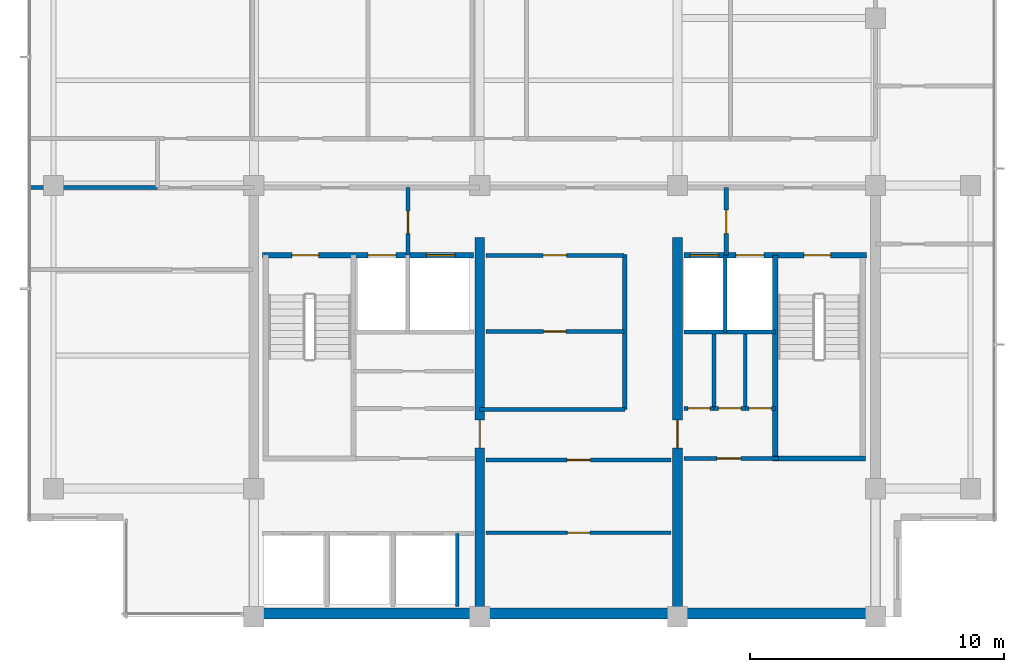
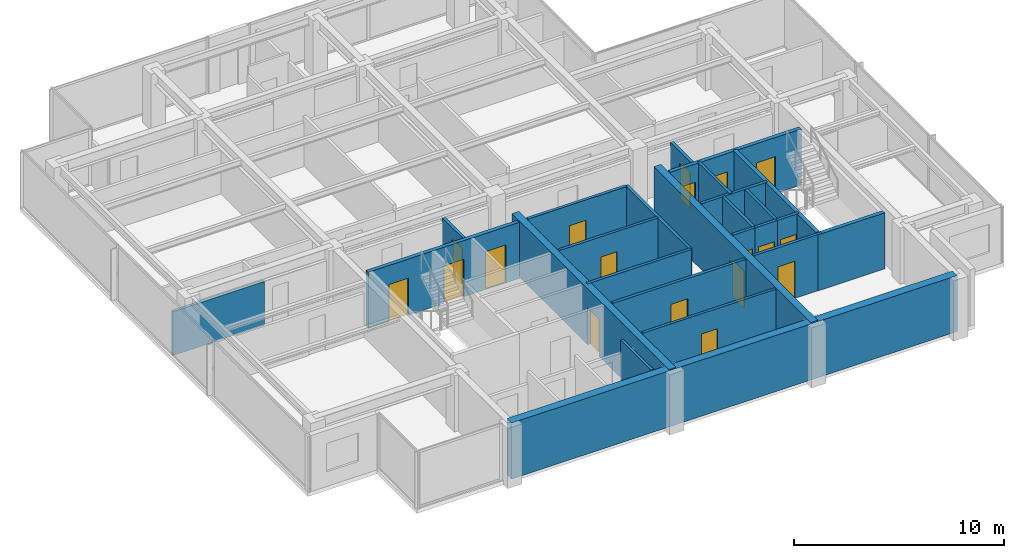
# One storey, part 6 of 11: 25 walls, 18 doors, 18 openings.
"""IFC4 building model written with IfcOpenShell, lengths in metres."""

from ifc_helpers import new_model, si_unit, direction, frame, frame_2d, origin, place, context, subcontext, project, spatial, rectangle, extrude, material, layer, layer_set, type_object, element, fill, save


model = new_model("IFC4")

# Units and contexts
model_context = context("Model", 3, precision=1e-05, world=origin(), true_north=direction((0.0, 1.0)))
body_context = subcontext(model_context, "Body", "Model", "MODEL_VIEW")
ifc_project = project(units=[si_unit("LENGTHUNIT", "METRE"), si_unit("AREAUNIT", "SQUARE_METRE"), si_unit("VOLUMEUNIT", "CUBIC_METRE"), si_unit("PLANEANGLEUNIT", "RADIAN"), si_unit("MASSUNIT", "GRAM", prefix="KILO")], contexts=[model_context])

# Site, building, storey
site_placement = place(None, origin())
site = spatial("IfcSite", under=ifc_project, at=site_placement, CompositionType="ELEMENT")
building_placement = place(site_placement, origin())
building = spatial("IfcBuilding", under=site, at=building_placement, Name="Qalmaran Belvedere Hotel", CompositionType="ELEMENT")
storey_placement = place(building_placement, frame((0.0, 0.0, 273.89990234375)))
storey = spatial("IfcBuildingStorey", under=building, at=storey_placement, Name="L71", CompositionType="ELEMENT", Elevation=273.89990234375)

# Wall, opening, door
ifc_material_1 = material(Name="Concrete C50/60", Category="concrete")
ifc_layer_1 = layer(ifc_material_1, 0.3798828125, Name="Concrete C50/60")
ifc_layer_set_1 = layer_set([ifc_layer_1], Name="Concrete C50/60")
wall_type_1 = type_object("IfcWallType", Name="WL-CORE-380-C50", PredefinedType="SHEAR", material=ifc_layer_set_1)
wall_1_placement = place(storey_placement, frame((29.199951171875, 3.5, 0.0), z_axis=(0.0, 0.0, 1.0), x_axis=(0.0, 1.0, 0.0)))
wall_1 = element("IfcWall", 1, at=wall_1_placement, inside=storey, type_object=wall_type_1, Name="L71 Core West Spine Shear Wall", PredefinedType="SHEAR", context=body_context, shape_type="SweptSolid", body=[
    extrude(rectangle(XDim=14.949951171875, YDim=0.3798828125, at=frame_2d((7.47509765625, 0.0))), origin(), (0.0, 0.0, 1.0), 3.260009765625),
])
opening_1_placement = place(wall_1_placement, frame((7.75, 0.0, 0.0), z_axis=(0.0, 0.0, 1.0), x_axis=(-1.0, 0.0, 0.0)))
opening_1 = element("IfcOpeningElement", 2, at=opening_1_placement, cuts=wall_1, Name="Opening FD90", PredefinedType="OPENING", context=body_context, shape_type="SweptSolid", body=[
    extrude(rectangle(XDim=1.10009765625, YDim=2.14990234375, at=frame_2d((0.550048828125, 1.074951171875))), frame((0.0, 0.199951171875, 0.0), z_axis=(0.0, -1.0, 0.0), x_axis=(1.0, 0.0, 0.0)), (0.0, 0.0, 1.0), 0.39990234375),
])
ifc_material_2 = material(Name="Steel S355JR", Category="steel")
door_type_1 = type_object("IfcDoorType", Name="DR-FD90-1100X2150", OperationType="NOTDEFINED", PredefinedType="DOOR", material=ifc_material_2)
door_1_placement = place(opening_1_placement, origin())
door_1 = element("IfcDoor", 3, at=door_1_placement, inside=storey, type_object=door_type_1, Name="L71 Core West Cross-Lobby Door", OperationType="SINGLE_SWING_RIGHT", OverallHeight=2.14990234375, OverallWidth=1.10009765625, PredefinedType="DOOR", context=body_context, shape_type="SweptSolid", body=[
    extrude(rectangle(XDim=1.10009765625, YDim=2.14990234375, at=frame_2d((0.550048828125, 1.074951171875))), frame((0.0, 0.02490234375, 0.0), z_axis=(0.0, -1.0, 0.0), x_axis=(1.0, 0.0, 0.0)), (0.0, 0.0, 1.0), 0.050048828125),
])
fill(opening_1, door_1)

wall_2_placement = place(storey_placement, frame((37.0, 3.5, 0.0), z_axis=(0.0, 0.0, 1.0), x_axis=(0.0, 1.0, 0.0)))
wall_2 = element("IfcWall", 4, at=wall_2_placement, inside=storey, type_object=wall_type_1, Name="L71 Core East Spine Shear Wall", PredefinedType="SHEAR", context=body_context, shape_type="SweptSolid", body=[
    extrude(rectangle(XDim=14.949951171875, YDim=0.3798828125, at=frame_2d((7.47509765625, 0.0))), origin(), (0.0, 0.0, 1.0), 3.260009765625),
])
opening_2_placement = place(wall_2_placement, frame((6.64990234375, 0.0, 0.0)))
opening_2 = element("IfcOpeningElement", 5, at=opening_2_placement, cuts=wall_2, Name="Opening FD90", PredefinedType="OPENING", context=body_context, shape_type="SweptSolid", body=[
    extrude(rectangle(XDim=1.10009765625, YDim=2.14990234375, at=frame_2d((0.550048828125, 1.074951171875))), frame((0.0, 0.199951171875, 0.0), z_axis=(0.0, -1.0, 0.0), x_axis=(1.0, 0.0, 0.0)), (0.0, 0.0, 1.0), 0.39990234375),
])
door_2_placement = place(opening_2_placement, origin())
door_2 = element("IfcDoor", 6, at=door_2_placement, inside=storey, type_object=door_type_1, Name="L71 Core East Cross-Lobby Door", OperationType="SINGLE_SWING_LEFT", OverallHeight=2.14990234375, OverallWidth=1.10009765625, PredefinedType="DOOR", context=body_context, shape_type="SweptSolid", body=[
    extrude(rectangle(XDim=1.10009765625, YDim=2.14990234375, at=frame_2d((0.550048828125, 1.074951171875))), frame((0.0, 0.02490234375, 0.0), z_axis=(0.0, -1.0, 0.0), x_axis=(1.0, 0.0, 0.0)), (0.0, 0.0, 1.0), 0.050048828125),
])
fill(opening_2, door_2)

# Walls
ifc_layer_2 = layer(ifc_material_1, 0.43994140625, Name="Concrete C50/60")
ifc_layer_set_2 = layer_set([ifc_layer_2], Name="Concrete C50/60")
wall_type_2 = type_object("IfcWallType", Name="WL-CORES-440-EXT", PredefinedType="SHEAR", material=ifc_layer_set_2)
wall_3_placement = place(storey_placement, frame((20.300048828125, 3.6298828125, 0.0), z_axis=(0.0, 0.0, 1.0), x_axis=(1.0, 0.0, 0.0)))
element("IfcWall", 7, at=wall_3_placement, inside=storey, type_object=wall_type_2, Name="L71 South Core Shear Wall", PredefinedType="SHEAR", context=body_context, shape_type="SweptSolid", body=[
    extrude(rectangle(XDim=24.5, YDim=0.43994140625, at=frame_2d((12.25, 0.0))), origin(), (0.0, 0.0, 1.0), 3.260009765625),
])
ifc_material_3 = material(Name="Gypsum Stud Partition")
ifc_layer_3 = layer(ifc_material_3, 0.14990234375, Name="Gypsum Stud Partition")
ifc_layer_set_3 = layer_set([ifc_layer_3], Name="Gypsum Stud Partition")
wall_type_3 = type_object("IfcWallType", Name="WL-INT-150-EI120", PredefinedType="PARTITIONING", material=ifc_layer_set_3)
wall_4_placement = place(storey_placement, frame((38.8798828125, 14.719970703125, 0.0), z_axis=(0.0, 0.0, 1.0), x_axis=(0.0, 1.0, 0.0)))
element("IfcWall", 8, at=wall_4_placement, inside=storey, type_object=wall_type_3, Name="L71 Partition WL-FF2M-L71", PredefinedType="PARTITIONING", context=body_context, shape_type="SweptSolid", body=[
    extrude(rectangle(XDim=3.0400390625, YDim=0.14990234375, at=frame_2d((1.52001953125, 0.0))), origin(), (0.0, 0.0, 1.0), 3.260009765625),
])
wall_5_placement = place(storey_placement, frame((28.320068359375, 3.89990234375, 0.0), z_axis=(0.0, 0.0, 1.0), x_axis=(0.0, 1.0, 0.0)))
element("IfcWall", 9, at=wall_5_placement, inside=storey, type_object=wall_type_3, Name="L71 Partition WL-POM3-L71", PredefinedType="PARTITIONING", context=body_context, shape_type="SweptSolid", body=[
    extrude(rectangle(XDim=2.880126953125, YDim=0.14990234375, at=frame_2d((1.43994140625, 0.0))), origin(), (0.0, 0.0, 1.0), 3.260009765625),
])
ifc_layer_4 = layer(ifc_material_3, 0.14990234375, Name="Gypsum Stud Partition")
ifc_layer_set_4 = layer_set([ifc_layer_4], Name="Gypsum Stud Partition")
wall_type_4 = type_object("IfcWallType", Name="WL-INT-150-EI60", PredefinedType="PARTITIONING", material=ifc_layer_set_4)
for number, where, z_axis, x_axis, name in (
    (10, (38.44140625, 11.719970703125, 0.0), (0.0, 0.0, 1.0), (0.0, 1.0, 0.0), "L71 Partition WL-L71-KEV1"),
    (11, (39.668701171875, 11.719970703125, 0.0), (0.0, 0.0, 1.0), (0.0, 1.0, 0.0), "L71 Partition WL-L71-KEV2"),
):
    element("IfcWall", number, at=place(storey_placement, frame(where, z_axis=z_axis, x_axis=x_axis)), inside=storey, type_object=wall_type_4, Name=name, PredefinedType="PARTITIONING", context=body_context, shape_type="SweptSolid", body=[
        extrude(rectangle(XDim=2.929931640625, YDim=0.14990234375, at=frame_2d((1.46484375, 0.0))), origin(), (0.0, 0.0, 1.0), 3.260009765625),
    ])

# Wall, opening, door
wall_6_placement = place(storey_placement, frame((29.449951171875, 6.81494140625, 0.0), z_axis=(0.0, 0.0, 1.0), x_axis=(1.0, 0.0, 0.0)))
wall_6 = element("IfcWall", 12, at=wall_6_placement, inside=storey, type_object=wall_type_4, Name="L71 Partition WL-L71-KPLHM", PredefinedType="PARTITIONING", context=body_context, shape_type="SweptSolid", body=[
    extrude(rectangle(XDim=7.300048828125, YDim=0.14990234375, at=frame_2d((3.64990234375, 0.0))), origin(), (0.0, 0.0, 1.0), 3.260009765625),
])
opening_3_placement = place(wall_6_placement, frame((4.08984375, 0.0, 0.0), z_axis=(0.0, 0.0, 1.0), x_axis=(-1.0, 0.0, 0.0)))
opening_3 = element("IfcOpeningElement", 13, at=opening_3_placement, cuts=wall_6, Name="Opening FD60B", PredefinedType="OPENING", context=body_context, shape_type="SweptSolid", body=[
    extrude(rectangle(XDim=0.8798828125, YDim=2.080078125, at=frame_2d((0.43994140625, 1.0400390625))), frame((0.0, 0.0849609375, 0.0), z_axis=(0.0, -1.0, 0.0), x_axis=(1.0, 0.0, 0.0)), (0.0, 0.0, 1.0), 0.169921875),
])
door_type_2 = type_object("IfcDoorType", Name="DR-FD60B-880X2080", OperationType="NOTDEFINED", PredefinedType="DOOR", material=ifc_material_2)
door_3_placement = place(opening_3_placement, origin())
door_3 = element("IfcDoor", 14, at=door_3_placement, inside=storey, type_object=door_type_2, Name="L71 Housekeeping and Linen Room Door", OperationType="SINGLE_SWING_LEFT", OverallHeight=2.080078125, OverallWidth=0.8798828125, PredefinedType="DOOR", context=body_context, shape_type="SweptSolid", body=[
    extrude(rectangle(XDim=0.8798828125, YDim=2.080078125, at=frame_2d((0.43994140625, 1.0400390625))), frame((0.0, 0.02490234375, 0.0), z_axis=(0.0, -1.0, 0.0), x_axis=(1.0, 0.0, 0.0)), (0.0, 0.0, 1.0), 0.050048828125),
])
fill(opening_3, door_3)

wall_7_placement = place(storey_placement, frame((29.449951171875, 14.7451171875, 0.0), z_axis=(0.0, 0.0, 1.0), x_axis=(1.0, 0.0, 0.0)))
wall_7 = element("IfcWall", 15, at=wall_7_placement, inside=storey, type_object=wall_type_4, Name="L71 Partition WL-L71-KPMHM", PredefinedType="PARTITIONING", context=body_context, shape_type="SweptSolid", body=[
    extrude(rectangle(XDim=5.429931640625, YDim=0.14990234375, at=frame_2d((2.71484375, 0.0))), origin(), (0.0, 0.0, 1.0), 3.260009765625),
])
opening_4_placement = place(wall_7_placement, frame((3.15478515625, 0.0, 0.0), z_axis=(0.0, 0.0, 1.0), x_axis=(-1.0, 0.0, 0.0)))
opening_4 = element("IfcOpeningElement", 16, at=opening_4_placement, cuts=wall_7, Name="Opening FD60B", PredefinedType="OPENING", context=body_context, shape_type="SweptSolid", body=[
    extrude(rectangle(XDim=0.8798828125, YDim=2.080078125, at=frame_2d((0.43994140625, 1.0400390625))), frame((0.0, 0.0849609375, 0.0), z_axis=(0.0, -1.0, 0.0), x_axis=(1.0, 0.0, 0.0)), (0.0, 0.0, 1.0), 0.169921875),
])
door_4_placement = place(opening_4_placement, origin())
door_4 = element("IfcDoor", 17, at=door_4_placement, inside=storey, type_object=door_type_2, Name="L71 Executive Butler Pantry Door", OperationType="SINGLE_SWING_LEFT", OverallHeight=2.080078125, OverallWidth=0.8798828125, PredefinedType="DOOR", context=body_context, shape_type="SweptSolid", body=[
    extrude(rectangle(XDim=0.8798828125, YDim=2.080078125, at=frame_2d((0.43994140625, 1.0400390625))), frame((0.0, 0.02490234375, 0.0), z_axis=(0.0, -1.0, 0.0), x_axis=(1.0, 0.0, 0.0)), (0.0, 0.0, 1.0), 0.050048828125),
])
fill(opening_4, door_4)

ifc_layer_5 = layer(ifc_material_3, 0.159912109375, Name="Gypsum Stud Partition")
ifc_layer_set_5 = layer_set([ifc_layer_5], Name="Gypsum Stud Partition")
wall_type_5 = type_object("IfcWallType", Name="WL-INT-160-EI120", PredefinedType="PARTITIONING", material=ifc_layer_set_5)
wall_8_placement = place(storey_placement, frame((26.3798828125, 17.760009765625, 0.0), z_axis=(0.0, 0.0, 1.0), x_axis=(0.0, 1.0, 0.0)))
wall_8 = element("IfcWall", 18, at=wall_8_placement, inside=storey, type_object=wall_type_5, Name="L71 Partition WL-FFSV1-L71", PredefinedType="PARTITIONING", context=body_context, shape_type="SweptSolid", body=[
    extrude(rectangle(XDim=2.659912109375, YDim=0.159912109375, at=frame_2d((1.330078125, 0.0))), origin(), (0.0, 0.0, 1.0), 2.781982421875),
])
opening_5_placement = place(wall_8_placement, frame((0.85009765625, 0.0, 0.0)))
opening_5 = element("IfcOpeningElement", 19, at=opening_5_placement, cuts=wall_8, Name="Opening FD60B", PredefinedType="OPENING", context=body_context, shape_type="SweptSolid", body=[
    extrude(rectangle(XDim=0.8798828125, YDim=2.080078125, at=frame_2d((0.43994140625, 1.0400390625))), frame((0.0, 0.08984375, 0.0), z_axis=(0.0, -1.0, 0.0), x_axis=(1.0, 0.0, 0.0)), (0.0, 0.0, 1.0), 0.179931640625),
])
door_5_placement = place(opening_5_placement, origin())
door_5 = element("IfcDoor", 20, at=door_5_placement, inside=storey, type_object=door_type_2, Name="L71 Service Lobby West Door", OperationType="SINGLE_SWING_RIGHT", OverallHeight=2.080078125, OverallWidth=0.8798828125, PredefinedType="DOOR", context=body_context, shape_type="SweptSolid", body=[
    extrude(rectangle(XDim=0.8798828125, YDim=2.080078125, at=frame_2d((0.43994140625, 1.0400390625))), frame((0.0, 0.02490234375, 0.0), z_axis=(0.0, -1.0, 0.0), x_axis=(1.0, 0.0, 0.0)), (0.0, 0.0, 1.0), 0.050048828125),
])
fill(opening_5, door_5)

wall_9_placement = place(storey_placement, frame((38.919921875, 17.760009765625, 0.0), z_axis=(0.0, 0.0, 1.0), x_axis=(0.0, 1.0, 0.0)))
wall_9 = element("IfcWall", 21, at=wall_9_placement, inside=storey, type_object=wall_type_5, Name="L71 Partition WL-FFSV2-L71", PredefinedType="PARTITIONING", context=body_context, shape_type="SweptSolid", body=[
    extrude(rectangle(XDim=2.659912109375, YDim=0.159912109375, at=frame_2d((1.330078125, 0.0))), origin(), (0.0, 0.0, 1.0), 2.781982421875),
])
opening_6_placement = place(wall_9_placement, frame((1.77001953125, 0.0, 0.0), z_axis=(0.0, 0.0, 1.0), x_axis=(-1.0, 0.0, 0.0)))
opening_6 = element("IfcOpeningElement", 22, at=opening_6_placement, cuts=wall_9, Name="Opening FD60S1", PredefinedType="OPENING", context=body_context, shape_type="SweptSolid", body=[
    extrude(rectangle(XDim=0.919921875, YDim=2.080078125, at=frame_2d((0.4599609375, 1.0400390625))), frame((0.0, 0.08984375, 0.0), z_axis=(0.0, -1.0, 0.0), x_axis=(1.0, 0.0, 0.0)), (0.0, 0.0, 1.0), 0.179931640625),
])
ifc_material_4 = material(Name="Engineered Oak Veneer")
door_type_3 = type_object("IfcDoorType", Name="DR-FD60S-920X2080", OperationType="NOTDEFINED", PredefinedType="DOOR", material=ifc_material_4)
door_6_placement = place(opening_6_placement, origin())
door_6 = element("IfcDoor", 23, at=door_6_placement, inside=storey, type_object=door_type_3, Name="L71 Service Lobby East Door", OperationType="SINGLE_SWING_LEFT", OverallHeight=2.080078125, OverallWidth=0.919921875, PredefinedType="DOOR", context=body_context, shape_type="SweptSolid", body=[
    extrude(rectangle(XDim=0.919921875, YDim=2.080078125, at=frame_2d((0.4599609375, 1.0400390625))), frame((0.0, 0.02490234375, 0.0), z_axis=(0.0, -1.0, 0.0), x_axis=(1.0, 0.0, 0.0)), (0.0, 0.0, 1.0), 0.050048828125),
])
fill(opening_6, door_6)

# Wall
wall_10_placement = place(storey_placement, frame((37.25, 14.719970703125, 0.0), z_axis=(0.0, 0.0, 1.0), x_axis=(1.0, 0.0, 0.0)))
element("IfcWall", 24, at=wall_10_placement, inside=storey, type_object=wall_type_5, Name="L71 Partition WL-FF2S-L71", PredefinedType="PARTITIONING", context=body_context, shape_type="SweptSolid", body=[
    extrude(rectangle(XDim=3.610107421875, YDim=0.159912109375, at=frame_2d((1.80517578125, 0.0))), origin(), (0.0, 0.0, 1.0), 3.260009765625),
])

# Wall, opening, door
ifc_layer_6 = layer(ifc_material_3, 0.159912109375, Name="Gypsum Stud Partition")
ifc_layer_set_6 = layer_set([ifc_layer_6], Name="Gypsum Stud Partition")
wall_type_6 = type_object("IfcWallType", Name="WL-INT-160-EI60", PredefinedType="PARTITIONING", material=ifc_layer_set_6)
wall_11_placement = place(storey_placement, frame((37.25, 11.719970703125, 0.0), z_axis=(0.0, 0.0, 1.0), x_axis=(1.0, 0.0, 0.0)))
wall_11 = element("IfcWall", 25, at=wall_11_placement, inside=storey, type_object=wall_type_6, Name="L71 Partition WL-L71-KEE1", PredefinedType="PARTITIONING", context=body_context, shape_type="SweptSolid", body=[
    extrude(rectangle(XDim=1.19140625, YDim=0.159912109375, at=frame_2d((0.595703125, 0.0))), origin(), (0.0, 0.0, 1.0), 3.260009765625),
])
opening_7_placement = place(wall_11_placement, frame((0.155517578125, 0.0, 0.0)))
opening_7 = element("IfcOpeningElement", 26, at=opening_7_placement, cuts=wall_11, Name="Opening FD60B", PredefinedType="OPENING", context=body_context, shape_type="SweptSolid", body=[
    extrude(rectangle(XDim=0.8798828125, YDim=2.080078125, at=frame_2d((0.43994140625, 1.0400390625))), frame((0.0, 0.08984375, 0.0), z_axis=(0.0, -1.0, 0.0), x_axis=(1.0, 0.0, 0.0)), (0.0, 0.0, 1.0), 0.179931640625),
])
door_7_placement = place(opening_7_placement, origin())
door_7 = element("IfcDoor", 27, at=door_7_placement, inside=storey, type_object=door_type_2, Name="L71 Hotel Linen Closet Door", OperationType="SINGLE_SWING_LEFT", OverallHeight=2.080078125, OverallWidth=0.8798828125, PredefinedType="DOOR", context=body_context, shape_type="SweptSolid", body=[
    extrude(rectangle(XDim=0.8798828125, YDim=2.080078125, at=frame_2d((0.43994140625, 1.0400390625))), frame((0.0, 0.02490234375, 0.0), z_axis=(0.0, -1.0, 0.0), x_axis=(1.0, 0.0, 0.0)), (0.0, 0.0, 1.0), 0.050048828125),
])
fill(opening_7, door_7)

wall_12_placement = place(storey_placement, frame((38.44140625, 11.719970703125, 0.0), z_axis=(0.0, 0.0, 1.0), x_axis=(1.0, 0.0, 0.0)))
wall_12 = element("IfcWall", 28, at=wall_12_placement, inside=storey, type_object=wall_type_6, Name="L71 Partition WL-L71-KEE2", PredefinedType="PARTITIONING", context=body_context, shape_type="SweptSolid", body=[
    extrude(rectangle(XDim=1.227294921875, YDim=0.159912109375, at=frame_2d((0.61376953125, 0.0))), origin(), (0.0, 0.0, 1.0), 3.260009765625),
])
opening_8_placement = place(wall_12_placement, frame((0.173583984375, 0.0, 0.0)))
opening_8 = element("IfcOpeningElement", 29, at=opening_8_placement, cuts=wall_12, Name="Opening FD60B", PredefinedType="OPENING", context=body_context, shape_type="SweptSolid", body=[
    extrude(rectangle(XDim=0.8798828125, YDim=2.080078125, at=frame_2d((0.43994140625, 1.0400390625))), frame((0.0, 0.08984375, 0.0), z_axis=(0.0, -1.0, 0.0), x_axis=(1.0, 0.0, 0.0)), (0.0, 0.0, 1.0), 0.179931640625),
])
door_8_placement = place(opening_8_placement, origin())
door_8 = element("IfcDoor", 30, at=door_8_placement, inside=storey, type_object=door_type_2, Name="L71 Guest Ice and Beverage Pantry Door", OperationType="SINGLE_SWING_RIGHT", OverallHeight=2.080078125, OverallWidth=0.8798828125, PredefinedType="DOOR", context=body_context, shape_type="SweptSolid", body=[
    extrude(rectangle(XDim=0.8798828125, YDim=2.080078125, at=frame_2d((0.43994140625, 1.0400390625))), frame((0.0, 0.02490234375, 0.0), z_axis=(0.0, -1.0, 0.0), x_axis=(1.0, 0.0, 0.0)), (0.0, 0.0, 1.0), 0.050048828125),
])
fill(opening_8, door_8)

wall_13_placement = place(storey_placement, frame((39.668701171875, 11.719970703125, 0.0), z_axis=(0.0, 0.0, 1.0), x_axis=(1.0, 0.0, 0.0)))
wall_13 = element("IfcWall", 31, at=wall_13_placement, inside=storey, type_object=wall_type_6, Name="L71 Partition WL-L71-KEE3", PredefinedType="PARTITIONING", context=body_context, shape_type="SweptSolid", body=[
    extrude(rectangle(XDim=1.19140625, YDim=0.159912109375, at=frame_2d((0.595703125, 0.0))), origin(), (0.0, 0.0, 1.0), 3.260009765625),
])
opening_9_placement = place(wall_13_placement, frame((0.155517578125, 0.0, 0.0)))
opening_9 = element("IfcOpeningElement", 32, at=opening_9_placement, cuts=wall_13, Name="Opening FD60B", PredefinedType="OPENING", context=body_context, shape_type="SweptSolid", body=[
    extrude(rectangle(XDim=0.8798828125, YDim=2.080078125, at=frame_2d((0.43994140625, 1.0400390625))), frame((0.0, 0.08984375, 0.0), z_axis=(0.0, -1.0, 0.0), x_axis=(1.0, 0.0, 0.0)), (0.0, 0.0, 1.0), 0.179931640625),
])
door_9_placement = place(opening_9_placement, origin())
door_9 = element("IfcDoor", 33, at=door_9_placement, inside=storey, type_object=door_type_2, Name="L71 Cleaner Equipment Store Door", OperationType="SINGLE_SWING_LEFT", OverallHeight=2.080078125, OverallWidth=0.8798828125, PredefinedType="DOOR", context=body_context, shape_type="SweptSolid", body=[
    extrude(rectangle(XDim=0.8798828125, YDim=2.080078125, at=frame_2d((0.43994140625, 1.0400390625))), frame((0.0, 0.02490234375, 0.0), z_axis=(0.0, -1.0, 0.0), x_axis=(1.0, 0.0, 0.0)), (0.0, 0.0, 1.0), 0.050048828125),
])
fill(opening_9, door_9)

wall_14_placement = place(storey_placement, frame((37.25, 9.739990234375, 0.0), z_axis=(0.0, 0.0, 1.0), x_axis=(1.0, 0.0, 0.0)))
wall_14 = element("IfcWall", 34, at=wall_14_placement, inside=storey, type_object=wall_type_6, Name="L71 Partition WL-PHFR-L71", PredefinedType="PARTITIONING", context=body_context, shape_type="SweptSolid", body=[
    extrude(rectangle(XDim=3.72998046875, YDim=0.159912109375, at=frame_2d((1.864990234375, 0.0))), origin(), (0.0, 0.0, 1.0), 3.260009765625),
])
opening_10_placement = place(wall_14_placement, frame((2.25, 0.0, 0.0), z_axis=(0.0, 0.0, 1.0), x_axis=(-1.0, 0.0, 0.0)))
opening_10 = element("IfcOpeningElement", 35, at=opening_10_placement, cuts=wall_14, Name="Opening FD60", PredefinedType="OPENING", context=body_context, shape_type="SweptSolid", body=[
    extrude(rectangle(XDim=0.949951171875, YDim=2.14990234375, at=frame_2d((0.47509765625, 1.074951171875))), frame((0.0, 0.08984375, 0.0), z_axis=(0.0, -1.0, 0.0), x_axis=(1.0, 0.0, 0.0)), (0.0, 0.0, 1.0), 0.179931640625),
])
door_type_4 = type_object("IfcDoorType", Name="DR-FD60-950X2150", OperationType="NOTDEFINED", PredefinedType="DOOR", material=ifc_material_4)
door_10_placement = place(opening_10_placement, origin())
door_10 = element("IfcDoor", 36, at=door_10_placement, inside=storey, type_object=door_type_4, Name="L71 Freed PH Room Door", OperationType="SINGLE_SWING_LEFT", OverallHeight=2.14990234375, OverallWidth=0.949951171875, PredefinedType="DOOR", context=body_context, shape_type="SweptSolid", body=[
    extrude(rectangle(XDim=0.949951171875, YDim=2.14990234375, at=frame_2d((0.47509765625, 1.074951171875))), frame((0.0, 0.02490234375, 0.0), z_axis=(0.0, -1.0, 0.0), x_axis=(1.0, 0.0, 0.0)), (0.0, 0.0, 1.0), 0.050048828125),
])
fill(opening_10, door_10)

# Wall
wall_15_placement = place(storey_placement, frame((34.919921875, 11.679931640625, 0.0), z_axis=(0.0, 0.0, 1.0), x_axis=(0.0, 1.0, 0.0)))
element("IfcWall", 37, at=wall_15_placement, inside=storey, type_object=wall_type_6, Name="L71 Partition WL-CLLV-L71", PredefinedType="PARTITIONING", context=body_context, shape_type="SweptSolid", body=[
    extrude(rectangle(XDim=6.10009765625, YDim=0.159912109375, at=frame_2d((3.050048828125, 0.0))), origin(), (0.0, 0.0, 1.0), 3.260009765625),
])

# Wall, opening, door
wall_16_placement = place(storey_placement, frame((29.449951171875, 9.679931640625, 0.0), z_axis=(0.0, 0.0, 1.0), x_axis=(1.0, 0.0, 0.0)))
wall_16 = element("IfcWall", 38, at=wall_16_placement, inside=storey, type_object=wall_type_6, Name="L71 Partition WL-L71-KPLE1", PredefinedType="PARTITIONING", context=body_context, shape_type="SweptSolid", body=[
    extrude(rectangle(XDim=7.300048828125, YDim=0.159912109375, at=frame_2d((3.64990234375, 0.0))), origin(), (0.0, 0.0, 1.0), 3.260009765625),
])
opening_11_placement = place(wall_16_placement, frame((4.10986328125, 0.0, 0.0), z_axis=(0.0, 0.0, 1.0), x_axis=(-1.0, 0.0, 0.0)))
opening_11 = element("IfcOpeningElement", 39, at=opening_11_placement, cuts=wall_16, Name="Opening FD60S1", PredefinedType="OPENING", context=body_context, shape_type="SweptSolid", body=[
    extrude(rectangle(XDim=0.919921875, YDim=2.080078125, at=frame_2d((0.4599609375, 1.0400390625))), frame((0.0, 0.08984375, 0.0), z_axis=(0.0, -1.0, 0.0), x_axis=(1.0, 0.0, 0.0)), (0.0, 0.0, 1.0), 0.179931640625),
])
door_11_placement = place(opening_11_placement, origin())
door_11 = element("IfcDoor", 40, at=door_11_placement, inside=storey, type_object=door_type_3, Name="L71 Guest Valet Supply Store Door", OperationType="SINGLE_SWING_RIGHT", OverallHeight=2.080078125, OverallWidth=0.919921875, PredefinedType="DOOR", context=body_context, shape_type="SweptSolid", body=[
    extrude(rectangle(XDim=0.919921875, YDim=2.080078125, at=frame_2d((0.4599609375, 1.0400390625))), frame((0.0, 0.02490234375, 0.0), z_axis=(0.0, -1.0, 0.0), x_axis=(1.0, 0.0, 0.0)), (0.0, 0.0, 1.0), 0.050048828125),
])
fill(opening_11, door_11)

# Wall
wall_17_placement = place(storey_placement, frame((29.199951171875, 11.679931640625, 0.0), z_axis=(0.0, 0.0, 1.0), x_axis=(1.0, 0.0, 0.0)))
element("IfcWall", 41, at=wall_17_placement, inside=storey, type_object=wall_type_6, Name="L71 Partition WL-PMFS-L71", PredefinedType="PARTITIONING", context=body_context, shape_type="SweptSolid", body=[
    extrude(rectangle(XDim=5.719970703125, YDim=0.159912109375, at=frame_2d((2.85986328125, 0.0))), origin(), (0.0, 0.0, 1.0), 3.260009765625),
])

# Wall, opening, door
wall_18_placement = place(storey_placement, frame((29.449951171875, 17.75, 0.0), z_axis=(0.0, 0.0, 1.0), x_axis=(1.0, 0.0, 0.0)))
wall_18 = element("IfcWall", 42, at=wall_18_placement, inside=storey, type_object=wall_type_6, Name="L71 Partition WL-L71-KPME1", PredefinedType="PARTITIONING", context=body_context, shape_type="SweptSolid", body=[
    extrude(rectangle(XDim=5.429931640625, YDim=0.159912109375, at=frame_2d((2.71484375, 0.0))), origin(), (0.0, 0.0, 1.0), 3.260009765625),
])
opening_12_placement = place(wall_18_placement, frame((3.1748046875, 0.0, 0.0), z_axis=(0.0, 0.0, 1.0), x_axis=(-1.0, 0.0, 0.0)))
opening_12 = element("IfcOpeningElement", 43, at=opening_12_placement, cuts=wall_18, Name="Opening FD60S1", PredefinedType="OPENING", context=body_context, shape_type="SweptSolid", body=[
    extrude(rectangle(XDim=0.919921875, YDim=2.080078125, at=frame_2d((0.4599609375, 1.0400390625))), frame((0.0, 0.08984375, 0.0), z_axis=(0.0, -1.0, 0.0), x_axis=(1.0, 0.0, 0.0)), (0.0, 0.0, 1.0), 0.179931640625),
])
door_12_placement = place(opening_12_placement, origin())
door_12 = element("IfcDoor", 44, at=door_12_placement, inside=storey, type_object=door_type_3, Name="L71 Core Tableware Store Door", OperationType="SINGLE_SWING_RIGHT", OverallHeight=2.080078125, OverallWidth=0.919921875, PredefinedType="DOOR", context=body_context, shape_type="SweptSolid", body=[
    extrude(rectangle(XDim=0.919921875, YDim=2.080078125, at=frame_2d((0.4599609375, 1.0400390625))), frame((0.0, 0.02490234375, 0.0), z_axis=(0.0, -1.0, 0.0), x_axis=(1.0, 0.0, 0.0)), (0.0, 0.0, 1.0), 0.050048828125),
])
fill(opening_12, door_12)

# Wall
wall_19_placement = place(storey_placement, frame((11.469970703125, 20.419921875, 0.0), z_axis=(0.0, 0.0, 1.0), x_axis=(1.0, 0.0, 0.0)))
element("IfcWall", 45, at=wall_19_placement, inside=storey, type_object=wall_type_6, Name="L71 Partition WL-L71-C4WS1", PredefinedType="PARTITIONING", context=body_context, shape_type="SweptSolid", body=[
    extrude(rectangle(XDim=5.030029296875, YDim=0.159912109375, at=frame_2d((2.51513671875, 0.0))), origin(), (0.0, 0.0, 1.0), 2.550048828125),
])

# Wall, openings, doors
ifc_layer_7 = layer(ifc_material_1, 0.2099609375, Name="Concrete C50/60")
ifc_layer_set_7 = layer_set([ifc_layer_7], Name="Concrete C50/60")
wall_type_7 = type_object("IfcWallType", Name="WL-STAIR-210-C50", PredefinedType="SHEAR", material=ifc_layer_set_7)
wall_20_placement = place(storey_placement, frame((20.64990234375, 17.7548828125, 0.0), z_axis=(0.0, 0.0, 1.0), x_axis=(1.0, 0.0, 0.0)))
wall_20 = element("IfcWall", 46, at=wall_20_placement, inside=storey, type_object=wall_type_7, Name="L71 West Lobby and Stair ST-1 North Bearing Wall", PredefinedType="SHEAR", context=body_context, shape_type="SweptSolid", body=[
    extrude(rectangle(XDim=8.300048828125, YDim=0.2099609375, at=frame_2d((4.14990234375, 0.0))), origin(), (0.0, 0.0, 1.0), 3.260009765625),
])
opening_13_placement = place(wall_20_placement, frame((2.199951171875, 0.0, 0.0), z_axis=(0.0, 0.0, 1.0), x_axis=(-1.0, 0.0, 0.0)))
opening_13 = element("IfcOpeningElement", 47, at=opening_13_placement, cuts=wall_20, Name="Opening FD90S2", PredefinedType="OPENING", context=body_context, shape_type="SweptSolid", body=[
    extrude(rectangle(XDim=1.050048828125, YDim=2.14990234375, at=frame_2d((0.52490234375, 1.074951171875))), frame((0.0, 0.114990234375, 0.0), z_axis=(0.0, -1.0, 0.0), x_axis=(1.0, 0.0, 0.0)), (0.0, 0.0, 1.0), 0.22998046875),
])
opening_14_placement = place(wall_20_placement, frame((4.14990234375, 0.0, 0.0)))
opening_14 = element("IfcOpeningElement", 48, at=opening_14_placement, cuts=wall_20, Name="Opening LD-FF", PredefinedType="OPENING", context=body_context, shape_type="SweptSolid", body=[
    extrude(rectangle(XDim=1.10009765625, YDim=2.179931640625, at=frame_2d((0.550048828125, 1.08984375))), frame((0.0, 0.114990234375, 0.0), z_axis=(0.0, -1.0, 0.0), x_axis=(1.0, 0.0, 0.0)), (0.0, 0.0, 1.0), 0.22998046875),
])
opening_15_placement = place(wall_20_placement, frame((6.449951171875, 0.0, 0.0)))
opening_15 = element("IfcOpeningElement", 49, at=opening_15_placement, cuts=wall_20, Name="Opening LD-SV", PredefinedType="OPENING", context=body_context, shape_type="SweptSolid", body=[
    extrude(rectangle(XDim=1.1201171875, YDim=2.199951171875, at=frame_2d((0.56005859375, 1.10009765625))), frame((0.0, 0.114990234375, 0.0), z_axis=(0.0, -1.0, 0.0), x_axis=(1.0, 0.0, 0.0)), (0.0, 0.0, 1.0), 0.22998046875),
])
door_type_5 = type_object("IfcDoorType", Name="DR-FD90S-1050X2150", OperationType="NOTDEFINED", PredefinedType="DOOR", material=ifc_material_2)
door_13_placement = place(opening_13_placement, origin())
door_13 = element("IfcDoor", 50, at=door_13_placement, inside=storey, type_object=door_type_5, Name="L71 Stair ST-1 Door", OperationType="SINGLE_SWING_RIGHT", OverallHeight=2.14990234375, OverallWidth=1.050048828125, PredefinedType="DOOR", context=body_context, shape_type="SweptSolid", body=[
    extrude(rectangle(XDim=1.050048828125, YDim=2.14990234375, at=frame_2d((0.52490234375, 1.074951171875))), frame((0.0, 0.02490234375, 0.0), z_axis=(0.0, -1.0, 0.0), x_axis=(1.0, 0.0, 0.0)), (0.0, 0.0, 1.0), 0.050048828125),
])
fill(opening_13, door_13)
ifc_material_5 = material(Name="Stainless Steel 1.4401", Category="steel")
door_type_6 = type_object("IfcDoorType", Name="DR-LIFT-FF-1100X2180", OperationType="DOUBLE_DOOR_SLIDING", PredefinedType="DOOR", material=ifc_material_5)
door_14_placement = place(opening_14_placement, origin())
door_14 = element("IfcDoor", 51, at=door_14_placement, inside=storey, type_object=door_type_6, Name="L71 FF1 Lift Landing Door", OperationType="DOUBLE_DOOR_SLIDING", OverallHeight=2.179931640625, OverallWidth=1.10009765625, PredefinedType="DOOR", context=body_context, shape_type="SweptSolid", body=[
    extrude(rectangle(XDim=1.10009765625, YDim=2.179931640625, at=frame_2d((0.550048828125, 1.08984375))), frame((0.0, 0.02490234375, 0.0), z_axis=(0.0, -1.0, 0.0), x_axis=(1.0, 0.0, 0.0)), (0.0, 0.0, 1.0), 0.050048828125),
])
fill(opening_14, door_14)
door_type_7 = type_object("IfcDoorType", Name="DR-LIFT-SV-1120X2200", OperationType="DOUBLE_DOOR_SLIDING", PredefinedType="DOOR", material=ifc_material_5)
door_15_placement = place(opening_15_placement, origin())
door_15 = element("IfcDoor", 52, at=door_15_placement, inside=storey, type_object=door_type_7, Name="L71 SV1 Lift Landing Door", OperationType="DOUBLE_DOOR_SLIDING", OverallHeight=2.199951171875, OverallWidth=1.1201171875, PredefinedType="DOOR", context=body_context, shape_type="SweptSolid", body=[
    extrude(rectangle(XDim=1.1201171875, YDim=2.199951171875, at=frame_2d((0.56005859375, 1.10009765625))), frame((0.0, 0.02490234375, 0.0), z_axis=(0.0, -1.0, 0.0), x_axis=(1.0, 0.0, 0.0)), (0.0, 0.0, 1.0), 0.050048828125),
])
fill(opening_15, door_15)

# Walls
wall_21_placement = place(storey_placement, frame((40.85498046875, 9.7451171875, 0.0), z_axis=(0.0, 0.0, 1.0), x_axis=(0.0, 1.0, 0.0)))
element("IfcWall", 53, at=wall_21_placement, inside=storey, type_object=wall_type_7, Name="L71 Stair ST-2 West Bearing Wall", PredefinedType="SHEAR", context=body_context, shape_type="SweptSolid", body=[
    extrude(rectangle(XDim=8.009765625, YDim=0.2099609375, at=frame_2d((4.0048828125, 0.0))), origin(), (0.0, 0.0, 1.0), 3.260009765625),
])
wall_22_placement = place(storey_placement, frame((40.75, 9.7451171875, 0.0), z_axis=(0.0, 0.0, 1.0), x_axis=(1.0, 0.0, 0.0)))
element("IfcWall", 54, at=wall_22_placement, inside=storey, type_object=wall_type_7, Name="L71 Stair ST-2 South Bearing Wall", PredefinedType="SHEAR", context=body_context, shape_type="SweptSolid", body=[
    extrude(rectangle(XDim=3.659912109375, YDim=0.2099609375, at=frame_2d((1.830078125, 0.0))), origin(), (0.0, 0.0, 1.0), 3.260009765625),
])

# Wall, openings, doors
wall_23_placement = place(storey_placement, frame((37.25, 17.7548828125, 0.0), z_axis=(0.0, 0.0, 1.0), x_axis=(1.0, 0.0, 0.0)))
wall_23 = element("IfcWall", 55, at=wall_23_placement, inside=storey, type_object=wall_type_7, Name="L71 East Lobby and Stair ST-2 North Bearing Wall", PredefinedType="SHEAR", context=body_context, shape_type="SweptSolid", body=[
    extrude(rectangle(XDim=7.199951171875, YDim=0.2099609375, at=frame_2d((3.60009765625, 0.0))), origin(), (0.0, 0.0, 1.0), 3.260009765625),
])
opening_16_placement = place(wall_23_placement, frame((0.25, 0.0, 0.0)))
opening_16 = element("IfcOpeningElement", 56, at=opening_16_placement, cuts=wall_23, Name="Opening LD-SV", PredefinedType="OPENING", context=body_context, shape_type="SweptSolid", body=[
    extrude(rectangle(XDim=1.1201171875, YDim=2.199951171875, at=frame_2d((0.56005859375, 1.10009765625))), frame((0.0, 0.114990234375, 0.0), z_axis=(0.0, -1.0, 0.0), x_axis=(1.0, 0.0, 0.0)), (0.0, 0.0, 1.0), 0.22998046875),
])
opening_17_placement = place(wall_23_placement, frame((2.050048828125, 0.0, 0.0)))
opening_17 = element("IfcOpeningElement", 57, at=opening_17_placement, cuts=wall_23, Name="Opening LD-FF", PredefinedType="OPENING", context=body_context, shape_type="SweptSolid", body=[
    extrude(rectangle(XDim=1.10009765625, YDim=2.179931640625, at=frame_2d((0.550048828125, 1.08984375))), frame((0.0, 0.114990234375, 0.0), z_axis=(0.0, -1.0, 0.0), x_axis=(1.0, 0.0, 0.0)), (0.0, 0.0, 1.0), 0.22998046875),
])
opening_18_placement = place(wall_23_placement, frame((5.780029296875, 0.0, 0.0), z_axis=(0.0, 0.0, 1.0), x_axis=(-1.0, 0.0, 0.0)))
opening_18 = element("IfcOpeningElement", 58, at=opening_18_placement, cuts=wall_23, Name="Opening FD90S2", PredefinedType="OPENING", context=body_context, shape_type="SweptSolid", body=[
    extrude(rectangle(XDim=1.050048828125, YDim=2.14990234375, at=frame_2d((0.52490234375, 1.074951171875))), frame((0.0, 0.114990234375, 0.0), z_axis=(0.0, -1.0, 0.0), x_axis=(1.0, 0.0, 0.0)), (0.0, 0.0, 1.0), 0.22998046875),
])
door_16_placement = place(opening_18_placement, origin())
door_16 = element("IfcDoor", 59, at=door_16_placement, inside=storey, type_object=door_type_5, Name="L71 Stair ST-2 Door", OperationType="SINGLE_SWING_LEFT", OverallHeight=2.14990234375, OverallWidth=1.050048828125, PredefinedType="DOOR", context=body_context, shape_type="SweptSolid", body=[
    extrude(rectangle(XDim=1.050048828125, YDim=2.14990234375, at=frame_2d((0.52490234375, 1.074951171875))), frame((0.0, 0.02490234375, 0.0), z_axis=(0.0, -1.0, 0.0), x_axis=(1.0, 0.0, 0.0)), (0.0, 0.0, 1.0), 0.050048828125),
])
fill(opening_18, door_16)
door_17_placement = place(opening_17_placement, origin())
door_17 = element("IfcDoor", 60, at=door_17_placement, inside=storey, type_object=door_type_6, Name="L71 FF2 Lift Landing Door", OperationType="DOUBLE_DOOR_SLIDING", OverallHeight=2.179931640625, OverallWidth=1.10009765625, PredefinedType="DOOR", context=body_context, shape_type="SweptSolid", body=[
    extrude(rectangle(XDim=1.10009765625, YDim=2.179931640625, at=frame_2d((0.550048828125, 1.08984375))), frame((0.0, 0.02490234375, 0.0), z_axis=(0.0, -1.0, 0.0), x_axis=(1.0, 0.0, 0.0)), (0.0, 0.0, 1.0), 0.050048828125),
])
fill(opening_17, door_17)
door_18_placement = place(opening_16_placement, origin())
door_18 = element("IfcDoor", 61, at=door_18_placement, inside=storey, type_object=door_type_7, Name="L71 SV2 Lift Landing Door", OperationType="DOUBLE_DOOR_SLIDING", OverallHeight=2.199951171875, OverallWidth=1.1201171875, PredefinedType="DOOR", context=body_context, shape_type="SweptSolid", body=[
    extrude(rectangle(XDim=1.1201171875, YDim=2.199951171875, at=frame_2d((0.56005859375, 1.10009765625))), frame((0.0, 0.02490234375, 0.0), z_axis=(0.0, -1.0, 0.0), x_axis=(1.0, 0.0, 0.0)), (0.0, 0.0, 1.0), 0.050048828125),
])
fill(opening_16, door_18)

save(model, "model.ifc")
